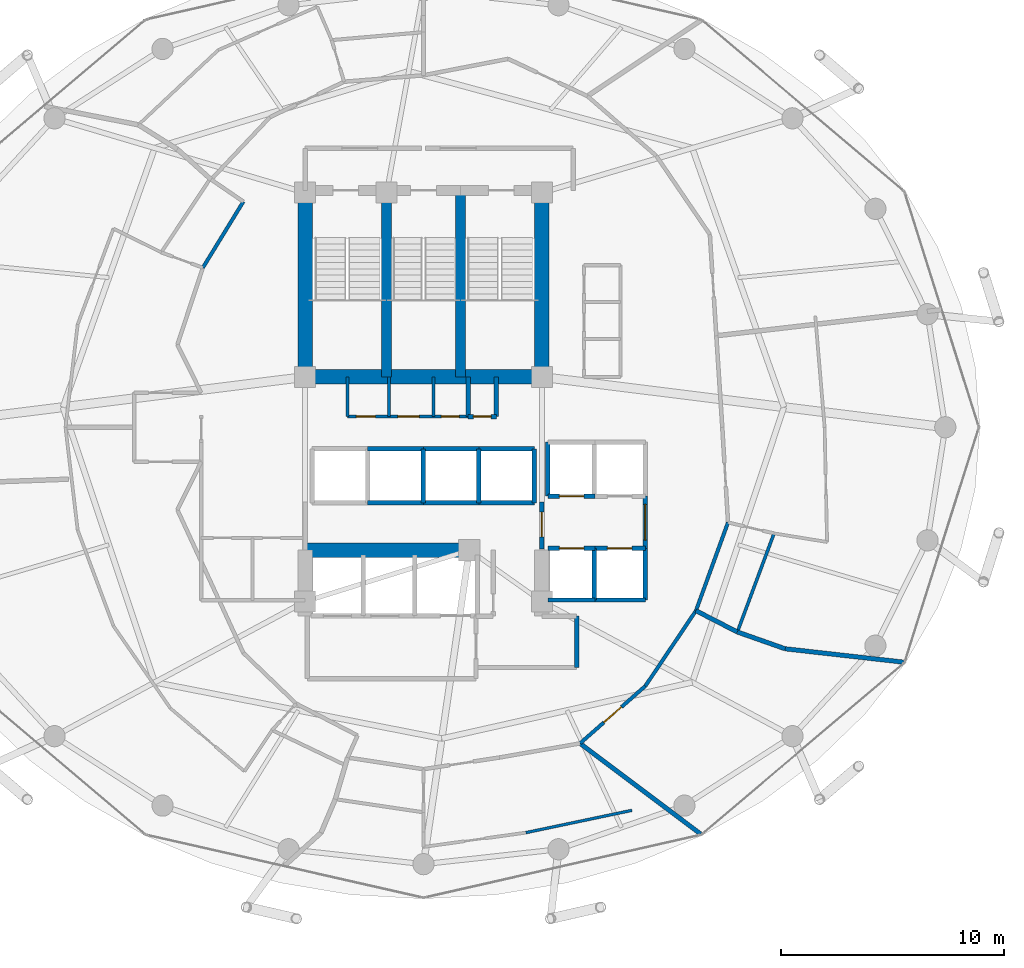
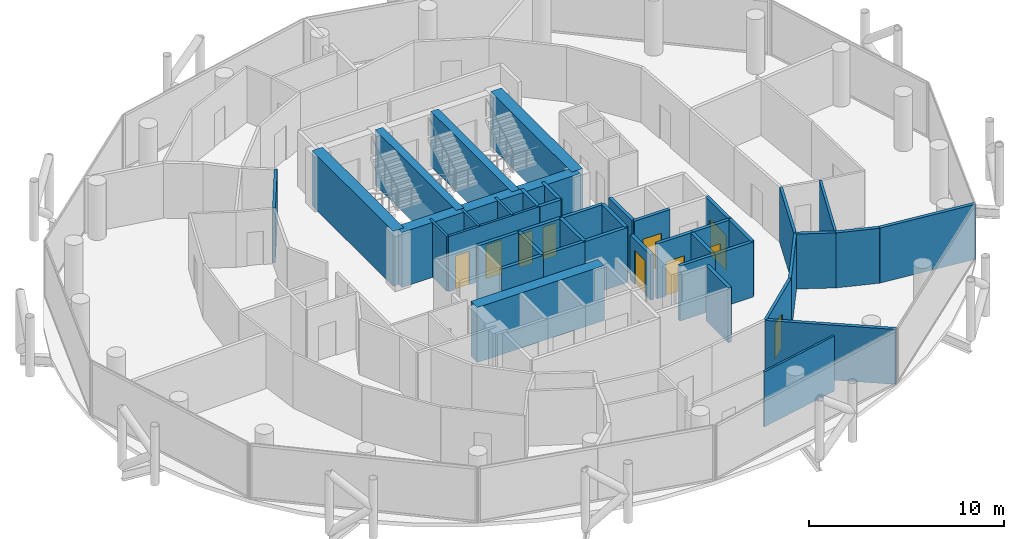
# One storey, part 23 of 26: 43 walls, 10 doors, 10 openings.
"""IFC4 building model written with IfcOpenShell, lengths in metres."""

from ifc_helpers import new_model, si_unit, direction, frame, frame_2d, origin, place, context, subcontext, project, spatial, rectangle, extrude, material, layer, layer_set, type_object, element, fill, save


model = new_model("IFC4")

# Units and contexts
model_context = context("Model", 3, precision=1e-05, world=origin(), true_north=direction((0.0, 1.0)))
body_context = subcontext(model_context, "Body", "Model", "MODEL_VIEW")
ifc_project = project(units=[si_unit("LENGTHUNIT", "METRE"), si_unit("AREAUNIT", "SQUARE_METRE"), si_unit("VOLUMEUNIT", "CUBIC_METRE"), si_unit("PLANEANGLEUNIT", "RADIAN"), si_unit("MASSUNIT", "GRAM", prefix="KILO")], contexts=[model_context])

# Site, building, storey
site_placement = place(None, origin())
site = spatial("IfcSite", under=ifc_project, at=site_placement, CompositionType="ELEMENT")
building_placement = place(site_placement, origin())
building = spatial("IfcBuilding", under=site, at=building_placement, Name="Nuhasar Tower", CompositionType="ELEMENT")
storey_placement = place(building_placement, frame((0.0, 0.0, 133.050048828125)))
storey = spatial("IfcBuildingStorey", under=building, at=storey_placement, Name="L31", CompositionType="ELEMENT", Elevation=133.050048828125)

# Walls
ifc_material_1 = material(Name="Concrete C50/60", Category="concrete")
ifc_layer_1 = layer(ifc_material_1, 0.449951171875)
ifc_layer_set_1 = layer_set([ifc_layer_1], Name="Concrete C50/60")
wall_type_1 = type_object("IfcWallType", Name="WL-CORE-450", PredefinedType="SHEAR", material=ifc_layer_set_1)
for number, where, z_axis, x_axis, name in (
    (1, (37.35009765625, 29.050048828125, 0.0), (0.0, 0.0, 1.0), (0.0, 1.0, 0.0), "L31 Stairwell Shear Wall ST01-E"),
    (2, (40.64990234375, 29.050048828125, 0.0), (0.0, 0.0, 1.0), (0.0, 1.0, 0.0), "L31 Stairwell Shear Wall ST03-E"),
):
    element("IfcWall", number, at=place(storey_placement, frame(where, z_axis=z_axis, x_axis=x_axis)), inside=storey, type_object=wall_type_1, Name=name, PredefinedType="SHEAR", context=body_context, shape_type="SweptSolid", body=[
        extrude(rectangle(XDim=8.349853515625, YDim=0.449951171875, at=frame_2d((4.1748046875, 0.0))), origin(), (0.0, 0.0, 1.0), 3.449951171875),
    ])
ifc_material_2 = material(Name="Concrete C65/80", Category="concrete")
ifc_layer_2 = layer(ifc_material_2, 0.64990234375)
ifc_layer_set_2 = layer_set([ifc_layer_2], Name="Concrete C65/80")
wall_type_2 = type_object("IfcWallType", Name="WL-CORE-650", PredefinedType="SHEAR", material=ifc_layer_set_2)
for number, where, z_axis, x_axis, name in (
    (3, (33.699951171875, 29.050048828125, 0.0), (0.0, 0.0, 1.0), (0.0, 1.0, 0.0), "L31 Core Shear Wall CW-NW CW-650"),
    (4, (44.300048828125, 29.050048828125, 0.0), (0.0, 0.0, 1.0), (0.0, 1.0, 0.0), "L31 Core Shear Wall CW-NE CW-650"),
):
    element("IfcWall", number, at=place(storey_placement, frame(where, z_axis=z_axis, x_axis=x_axis)), inside=storey, type_object=wall_type_2, Name=name, PredefinedType="SHEAR", context=body_context, shape_type="SweptSolid", body=[
        extrude(rectangle(XDim=8.349853515625, YDim=0.64990234375, at=frame_2d((4.1748046875, 0.0))), origin(), (0.0, 0.0, 1.0), 3.449951171875),
    ])
wall_1_placement = place(storey_placement, frame((33.699951171875, 29.050048828125, 0.0), z_axis=(0.0, 0.0, 1.0), x_axis=(1.0, 0.0, 0.0)))
element("IfcWall", 5, at=wall_1_placement, inside=storey, type_object=wall_type_2, Name="L31 Core Shear Wall CW-N1 CW-650", PredefinedType="SHEAR", context=body_context, shape_type="SweptSolid", body=[
    extrude(rectangle(XDim=10.60009765625, YDim=0.64990234375, at=frame_2d((5.300048828125, 0.0))), origin(), (0.0, 0.0, 1.0), 3.449951171875),
])
wall_2_placement = place(storey_placement, frame((33.699951171875, 21.300048828125, 0.0), z_axis=(0.0, 0.0, 1.0), x_axis=(1.0, 0.0, 0.0)))
element("IfcWall", 6, at=wall_2_placement, inside=storey, type_object=wall_type_2, Name="L31 Core Shear Wall CW-S1 CW-650", PredefinedType="SHEAR", context=body_context, shape_type="SweptSolid", body=[
    extrude(rectangle(XDim=7.550048828125, YDim=0.64990234375, at=frame_2d((3.77490234375, 0.0))), origin(), (0.0, 0.0, 1.0), 3.449951171875),
])

# Wall, opening, door
ifc_material_3 = material(Name="Gypsum Board", Category="gypsum")
ifc_layer_3 = layer(ifc_material_3, 0.159912109375)
ifc_layer_set_3 = layer_set([ifc_layer_3], Name="Gypsum Board")
wall_type_3 = type_object("IfcWallType", Name="WL-CORR-160", PredefinedType="PARTITIONING", material=ifc_layer_set_3)
wall_3_placement = place(storey_placement, frame((48.927978515625, 15.221923828125, 0.0), z_axis=(0.0, 0.0, 1.0), x_axis=(-0.751390152027, -0.659858196461, 0.0)))
wall_3 = element("IfcWall", 7, at=wall_3_placement, inside=storey, type_object=wall_type_3, Name="L31 Interior Partition CORR-40", PredefinedType="PARTITIONING", context=body_context, shape_type="SweptSolid", body=[
    extrude(rectangle(XDim=3.8916015625, YDim=0.159912109375, at=frame_2d((1.94580078125, 0.0))), origin(), (0.0, 0.0, 1.0), 3.449951171875),
])
opening_1_placement = place(wall_3_placement, frame((1.4208984375, 0.0, 0.0)))
opening_1 = element("IfcOpeningElement", 8, at=opening_1_placement, cuts=wall_3, Name="Opening DU-01", PredefinedType="OPENING", context=body_context, shape_type="SweptSolid", body=[
    extrude(rectangle(XDim=1.050048828125, YDim=2.14990234375, at=frame_2d((0.52490234375, 1.074951171875))), frame((0.0, 0.08984375, 0.0), z_axis=(0.0, -1.0, 0.0), x_axis=(1.0, 0.0, 0.0)), (0.0, 0.0, 1.0), 0.179931640625),
])
ifc_material_4 = material(Name="Timber Oak", Category="wood")
door_type_1 = type_object("IfcDoorType", Name="DR-SUITE-FD60-1050", OperationType="NOTDEFINED", PredefinedType="DOOR", material=ifc_material_4)
door_1_placement = place(opening_1_placement, origin())
door_1 = element("IfcDoor", 9, at=door_1_placement, inside=storey, type_object=door_type_1, Name="L31 Diplomatic Reading Office Entrance Door", OperationType="SINGLE_SWING_LEFT", OverallHeight=2.14990234375, OverallWidth=1.050048828125, PredefinedType="DOOR", context=body_context, shape_type="SweptSolid", body=[
    extrude(rectangle(XDim=1.050048828125, YDim=2.14990234375, at=frame_2d((0.52490234375, 1.074951171875))), frame((0.0, 0.02490234375, 0.0), z_axis=(0.0, -1.0, 0.0), x_axis=(1.0, 0.0, 0.0)), (0.0, 0.0, 1.0), 0.050048828125),
])
fill(opening_1, door_1)

# Walls
wall_4_placement = place(storey_placement, frame((48.927978515625, 15.221923828125, 0.0), z_axis=(0.0, 0.0, 1.0), x_axis=(0.557736193643, 0.830018275884, 0.0)))
element("IfcWall", 10, at=wall_4_placement, inside=storey, type_object=wall_type_3, Name="L31 Interior Partition CORR-42", PredefinedType="PARTITIONING", context=body_context, shape_type="SweptSolid", body=[
    extrude(rectangle(XDim=4.05908203125, YDim=0.159912109375, at=frame_2d((2.029541015625, 0.0))), origin(), (0.0, 0.0, 1.0), 3.449951171875),
])
wall_5_placement = place(storey_placement, frame((51.19189453125, 18.591064453125, 0.0), z_axis=(0.0, 0.0, 1.0), x_axis=(0.341397947832, 0.939918848208, 0.0)))
element("IfcWall", 11, at=wall_5_placement, inside=storey, type_object=wall_type_3, Name="L31 Interior Partition CORR-44", PredefinedType="PARTITIONING", context=body_context, shape_type="SweptSolid", body=[
    extrude(rectangle(XDim=4.203369140625, YDim=0.159912109375, at=frame_2d((2.1015625, 0.0))), origin(), (0.0, 0.0, 1.0), 3.449951171875),
])
wall_6_placement = place(storey_placement, frame((30.93896484375, 36.89697265625, 0.0), z_axis=(0.0, 0.0, 1.0), x_axis=(-0.522486120877, -0.852647789823, 0.0)))
element("IfcWall", 12, at=wall_6_placement, inside=storey, type_object=wall_type_3, Name="L31 Interior Partition HWEST-CORE-N-18", PredefinedType="PARTITIONING", context=body_context, shape_type="SweptSolid", body=[
    extrude(rectangle(XDim=3.468017578125, YDim=0.159912109375, at=frame_2d((1.73388671875, 0.0))), origin(), (0.0, 0.0, 1.0), 3.449951171875),
])

# Wall, opening, door
ifc_material_5 = material(Name="Concrete C45/55", Category="concrete")
ifc_layer_4 = layer(ifc_material_5, 0.199951171875)
ifc_layer_set_4 = layer_set([ifc_layer_4], Name="Concrete C45/55")
wall_type_4 = type_object("IfcWallType", Name="WL-LOBBY-200", PredefinedType="SOLIDWALL", material=ifc_layer_set_4)
wall_7_placement = place(storey_placement, frame((48.929931640625, 21.3798828125, 0.0), z_axis=(0.0, 0.0, 1.0), x_axis=(0.0, 1.0, 0.0)))
wall_7 = element("IfcWall", 13, at=wall_7_placement, inside=storey, type_object=wall_type_4, Name="L31 Interior Partition LLBM-E", PredefinedType="SOLIDWALL", context=body_context, shape_type="SweptSolid", body=[
    extrude(rectangle(XDim=2.340087890625, YDim=0.199951171875, at=frame_2d((1.169921875, 0.0))), origin(), (0.0, 0.0, 1.0), 3.449951171875),
])
opening_2_placement = place(wall_7_placement, frame((0.3701171875, 0.0, 0.0)))
opening_2 = element("IfcOpeningElement", 14, at=opening_2_placement, cuts=wall_7, Name="Opening DC-01", PredefinedType="OPENING", context=body_context, shape_type="SweptSolid", body=[
    extrude(rectangle(XDim=1.60009765625, YDim=2.199951171875, at=frame_2d((0.800048828125, 1.10009765625))), frame((0.0, 0.10986328125, 0.0), z_axis=(0.0, -1.0, 0.0), x_axis=(1.0, 0.0, 0.0)), (0.0, 0.0, 1.0), 0.219970703125),
])
ifc_material_6 = material(Name="Steel S355", Category="steel")
door_type_2 = type_object("IfcDoorType", Name="DR-CORR-FD60-1600", OperationType="DOUBLE_DOOR_SINGLE_SWING", PredefinedType="DOOR", material=ifc_material_6)
door_2_placement = place(opening_2_placement, origin())
door_2 = element("IfcDoor", 15, at=door_2_placement, inside=storey, type_object=door_type_2, Name="L31 Mid-Rise Lift Lobby East Entry", OperationType="DOUBLE_DOOR_SINGLE_SWING", OverallHeight=2.199951171875, OverallWidth=1.60009765625, PredefinedType="DOOR", context=body_context, shape_type="SweptSolid", body=[
    extrude(rectangle(XDim=1.60009765625, YDim=2.199951171875, at=frame_2d((0.800048828125, 1.10009765625))), frame((0.0, 0.02490234375, 0.0), z_axis=(0.0, -1.0, 0.0), x_axis=(1.0, 0.0, 0.0)), (0.0, 0.0, 1.0), 0.050048828125),
])
fill(opening_2, door_2)

wall_8_placement = place(storey_placement, frame((44.300048828125, 21.35009765625, 0.0), z_axis=(0.0, 0.0, 1.0), x_axis=(0.0, 1.0, 0.0)))
wall_8 = element("IfcWall", 16, at=wall_8_placement, inside=storey, type_object=wall_type_4, Name="L31 Interior Partition LLBH-E", PredefinedType="SOLIDWALL", context=body_context, shape_type="SweptSolid", body=[
    extrude(rectangle(XDim=2.099853515625, YDim=0.199951171875, at=frame_2d((1.0498046875, 0.0))), origin(), (0.0, 0.0, 1.0), 2.8349609375),
])
opening_3_placement = place(wall_8_placement, frame((0.550048828125, 0.0, 0.0)))
opening_3 = element("IfcOpeningElement", 17, at=opening_3_placement, cuts=wall_8, Name="Opening DS-02", PredefinedType="OPENING", context=body_context, shape_type="SweptSolid", body=[
    extrude(rectangle(XDim=1.10009765625, YDim=2.14990234375, at=frame_2d((0.550048828125, 1.074951171875))), frame((0.0, 0.10986328125, 0.0), z_axis=(0.0, -1.0, 0.0), x_axis=(1.0, 0.0, 0.0)), (0.0, 0.0, 1.0), 0.219970703125),
])
door_type_3 = type_object("IfcDoorType", Name="DR-FFL-FD120-1100", OperationType="NOTDEFINED", PredefinedType="DOOR", material=ifc_material_6)
door_3_placement = place(opening_3_placement, origin())
door_3 = element("IfcDoor", 18, at=door_3_placement, inside=storey, type_object=door_type_3, Name="L31 High-Rise Lobby East Door", OperationType="SINGLE_SWING_RIGHT", OverallHeight=2.14990234375, OverallWidth=1.10009765625, PredefinedType="DOOR", context=body_context, shape_type="SweptSolid", body=[
    extrude(rectangle(XDim=1.10009765625, YDim=2.14990234375, at=frame_2d((0.550048828125, 1.074951171875))), frame((0.0, 0.02490234375, 0.0), z_axis=(0.0, -1.0, 0.0), x_axis=(1.0, 0.0, 0.0)), (0.0, 0.0, 1.0), 0.050048828125),
])
fill(opening_3, door_3)

# Walls
wall_9_placement = place(storey_placement, frame((45.85009765625, 16.050048828125, 0.0), z_axis=(0.0, 0.0, 1.0), x_axis=(0.0, 1.0, 0.0)))
element("IfcWall", 19, at=wall_9_placement, inside=storey, type_object=wall_type_4, Name="L31 Interior Partition SVLV-E", PredefinedType="SOLIDWALL", context=body_context, shape_type="SweptSolid", body=[
    extrude(rectangle(XDim=2.300048828125, YDim=0.199951171875, at=frame_2d((1.14990234375, 0.0))), origin(), (0.0, 0.0, 1.0), 3.449951171875),
])
ifc_layer_5 = layer(ifc_material_3, 0.125)
ifc_layer_set_5 = layer_set([ifc_layer_5], Name="Gypsum Board")
wall_type_5 = type_object("IfcWallType", Name="WL-PART-125", PredefinedType="PARTITIONING", material=ifc_layer_set_5)
wall_10_placement = place(storey_placement, frame((43.5810546875, 8.659912109375, 0.0), z_axis=(0.0, 0.0, 1.0), x_axis=(0.978603154657, 0.205756812027, 0.0)))
element("IfcWall", 20, at=wall_10_placement, inside=storey, type_object=wall_type_5, Name="L31 Interior Partition HSAL-01-38", PredefinedType="PARTITIONING", context=body_context, shape_type="SweptSolid", body=[
    extrude(rectangle(XDim=4.8505859375, YDim=0.125, at=frame_2d((2.42529296875, 0.0))), origin(), (0.0, 0.0, 1.0), 3.449951171875),
])
ifc_layer_6 = layer(ifc_material_5, 0.199951171875)
ifc_layer_set_6 = layer_set([ifc_layer_6], Name="Concrete C45/55")
wall_type_6 = type_object("IfcWallType", Name="WL-SHAFT-200", PredefinedType="SOLIDWALL", material=ifc_layer_set_6)
for number, where, z_axis, x_axis, name in (
    (21, (41.0, 27.280029296875, 0.0), (0.0, 0.0, 1.0), (0.0, 1.0, 0.0), "L31 Interior Partition RSRN-W"),
    (22, (42.260009765625, 27.280029296875, 0.0), (0.0, 0.0, 1.0), (0.0, 1.0, 0.0), "L31 Interior Partition RSRN-E"),
):
    element("IfcWall", number, at=place(storey_placement, frame(where, z_axis=z_axis, x_axis=x_axis)), inside=storey, type_object=wall_type_6, Name=name, PredefinedType="SOLIDWALL", context=body_context, shape_type="SweptSolid", body=[
        extrude(rectangle(XDim=1.77001953125, YDim=0.199951171875, at=frame_2d((0.885009765625, 0.0))), origin(), (0.0, 0.0, 1.0), 3.449951171875),
    ])

# Wall, opening, door
wall_11_placement = place(storey_placement, frame((41.0, 27.280029296875, 0.0), z_axis=(0.0, 0.0, 1.0), x_axis=(1.0, 0.0, 0.0)))
wall_11 = element("IfcWall", 23, at=wall_11_placement, inside=storey, type_object=wall_type_6, Name="L31 Interior Partition RSRN-S", PredefinedType="SOLIDWALL", context=body_context, shape_type="SweptSolid", body=[
    extrude(rectangle(XDim=1.260009765625, YDim=0.199951171875, at=frame_2d((0.6298828125, 0.0))), origin(), (0.0, 0.0, 1.0), 3.449951171875),
])
opening_4_placement = place(wall_11_placement, frame((0.22998046875, 0.0, 0.0)))
opening_4 = element("IfcOpeningElement", 24, at=opening_4_placement, cuts=wall_11, Name="Opening DM-01", PredefinedType="OPENING", context=body_context, shape_type="SweptSolid", body=[
    extrude(rectangle(XDim=0.800048828125, YDim=2.050048828125, at=frame_2d((0.39990234375, 1.02490234375))), frame((0.0, 0.10986328125, 0.0), z_axis=(0.0, -1.0, 0.0), x_axis=(1.0, 0.0, 0.0)), (0.0, 0.0, 1.0), 0.219970703125),
])
door_type_4 = type_object("IfcDoorType", Name="DR-RISER-FD60-800", OperationType="NOTDEFINED", PredefinedType="DOOR", material=ifc_material_6)
door_4_placement = place(opening_4_placement, origin())
door_4 = element("IfcDoor", 25, at=door_4_placement, inside=storey, type_object=door_type_4, Name="L31 North Smoke Riser Door", OperationType="SINGLE_SWING_RIGHT", OverallHeight=2.050048828125, OverallWidth=0.800048828125, PredefinedType="DOOR", context=body_context, shape_type="SweptSolid", body=[
    extrude(rectangle(XDim=0.800048828125, YDim=2.050048828125, at=frame_2d((0.39990234375, 1.02490234375))), frame((0.0, 0.02490234375, 0.0), z_axis=(0.0, -1.0, 0.0), x_axis=(1.0, 0.0, 0.0)), (0.0, 0.0, 1.0), 0.050048828125),
])
fill(opening_4, door_4)

wall_12_placement = place(storey_placement, frame((44.570068359375, 23.719970703125, 0.0), z_axis=(0.0, 0.0, 1.0), x_axis=(1.0, 0.0, 0.0)))
wall_12 = element("IfcWall", 26, at=wall_12_placement, inside=storey, type_object=wall_type_6, Name="L31 Interior Partition SHF-PL-M01-S", PredefinedType="SOLIDWALL", context=body_context, shape_type="SweptSolid", body=[
    extrude(rectangle(XDim=2.10986328125, YDim=0.199951171875, at=frame_2d((1.054931640625, 0.0))), origin(), (0.0, 0.0, 1.0), 3.449951171875),
])
opening_5_placement = place(wall_12_placement, frame((0.5048828125, 0.0, 0.0)))
opening_5 = element("IfcOpeningElement", 27, at=opening_5_placement, cuts=wall_12, Name="Opening LD-M01", PredefinedType="OPENING", context=body_context, shape_type="SweptSolid", body=[
    extrude(rectangle(XDim=1.10009765625, YDim=2.14990234375, at=frame_2d((0.550048828125, 1.074951171875))), frame((0.0, 0.10986328125, 0.0), z_axis=(0.0, -1.0, 0.0), x_axis=(1.0, 0.0, 0.0)), (0.0, 0.0, 1.0), 0.219970703125),
])
ifc_material_7 = material(Name="Stainless Steel 316L", Category="steel")
door_type_5 = type_object("IfcDoorType", Name="LD-PAX-1100", OperationType="DOUBLE_DOOR_SLIDING", PredefinedType="DOOR", material=ifc_material_7)
door_5_placement = place(opening_5_placement, origin())
door_5 = element("IfcDoor", 28, at=door_5_placement, inside=storey, type_object=door_type_5, Name="L31 Lift Landing Door PL-M01", OperationType="DOUBLE_DOOR_SLIDING", OverallHeight=2.14990234375, OverallWidth=1.10009765625, PredefinedType="DOOR", context=body_context, shape_type="SweptSolid", body=[
    extrude(rectangle(XDim=1.10009765625, YDim=2.14990234375, at=frame_2d((0.550048828125, 1.074951171875))), frame((0.0, 0.02490234375, 0.0), z_axis=(0.0, -1.0, 0.0), x_axis=(1.0, 0.0, 0.0)), (0.0, 0.0, 1.0), 0.050048828125),
])
fill(opening_5, door_5)

# Walls
wall_13_placement = place(storey_placement, frame((44.570068359375, 23.719970703125, 0.0), z_axis=(0.0, 0.0, 1.0), x_axis=(0.0, 1.0, 0.0)))
element("IfcWall", 29, at=wall_13_placement, inside=storey, type_object=wall_type_6, Name="L31 Interior Partition SHF-PL-M01-W", PredefinedType="SOLIDWALL", context=body_context, shape_type="SweptSolid", body=[
    extrude(rectangle(XDim=2.409912109375, YDim=0.199951171875, at=frame_2d((1.205078125, 0.0))), origin(), (0.0, 0.0, 1.0), 3.449951171875),
])
wall_14_placement = place(storey_placement, frame((44.570068359375, 19.070068359375, 0.0), z_axis=(0.0, 0.0, 1.0), x_axis=(1.0, 0.0, 0.0)))
element("IfcWall", 30, at=wall_14_placement, inside=storey, type_object=wall_type_6, Name="L31 Interior Partition SHF-PL-M03-S", PredefinedType="SOLIDWALL", context=body_context, shape_type="SweptSolid", body=[
    extrude(rectangle(XDim=2.10986328125, YDim=0.199951171875, at=frame_2d((1.054931640625, 0.0))), origin(), (0.0, 0.0, 1.0), 3.449951171875),
])

# Wall, opening, door
wall_15_placement = place(storey_placement, frame((44.570068359375, 21.3798828125, 0.0), z_axis=(0.0, 0.0, 1.0), x_axis=(1.0, 0.0, 0.0)))
wall_15 = element("IfcWall", 31, at=wall_15_placement, inside=storey, type_object=wall_type_6, Name="L31 Interior Partition SHF-PL-M03-N", PredefinedType="SOLIDWALL", context=body_context, shape_type="SweptSolid", body=[
    extrude(rectangle(XDim=2.10986328125, YDim=0.199951171875, at=frame_2d((1.054931640625, 0.0))), origin(), (0.0, 0.0, 1.0), 3.449951171875),
])
opening_6_placement = place(wall_15_placement, frame((0.5048828125, 0.0, 0.0)))
opening_6 = element("IfcOpeningElement", 32, at=opening_6_placement, cuts=wall_15, Name="Opening LD-M03", PredefinedType="OPENING", context=body_context, shape_type="SweptSolid", body=[
    extrude(rectangle(XDim=1.10009765625, YDim=2.14990234375, at=frame_2d((0.550048828125, 1.074951171875))), frame((0.0, 0.10986328125, 0.0), z_axis=(0.0, -1.0, 0.0), x_axis=(1.0, 0.0, 0.0)), (0.0, 0.0, 1.0), 0.219970703125),
])
door_6_placement = place(opening_6_placement, origin())
door_6 = element("IfcDoor", 33, at=door_6_placement, inside=storey, type_object=door_type_5, Name="L31 Lift Landing Door PL-M03", OperationType="DOUBLE_DOOR_SLIDING", OverallHeight=2.14990234375, OverallWidth=1.10009765625, PredefinedType="DOOR", context=body_context, shape_type="SweptSolid", body=[
    extrude(rectangle(XDim=1.10009765625, YDim=2.14990234375, at=frame_2d((0.550048828125, 1.074951171875))), frame((0.0, 0.02490234375, 0.0), z_axis=(0.0, -1.0, 0.0), x_axis=(1.0, 0.0, 0.0)), (0.0, 0.0, 1.0), 0.050048828125),
])
fill(opening_6, door_6)

# Walls
for number, where, z_axis, x_axis, name in (
    (34, (46.64990234375, 19.070068359375, 0.0), (0.0, 0.0, 1.0), (0.0, 1.0, 0.0), "L31 Interior Partition SHF-PL-M03-E"),
    (35, (46.6201171875, 19.070068359375, 0.0), (0.0, 0.0, 1.0), (1.0, 0.0, 0.0), "L31 Interior Partition SHF-PL-M04-S"),
):
    element("IfcWall", number, at=place(storey_placement, frame(where, z_axis=z_axis, x_axis=x_axis)), inside=storey, type_object=wall_type_6, Name=name, PredefinedType="SOLIDWALL", context=body_context, shape_type="SweptSolid", body=[
        extrude(rectangle(XDim=2.309814453125, YDim=0.199951171875, at=frame_2d((1.15478515625, 0.0))), origin(), (0.0, 0.0, 1.0), 3.449951171875),
    ])

# Wall, opening, door
wall_16_placement = place(storey_placement, frame((46.6201171875, 21.3798828125, 0.0), z_axis=(0.0, 0.0, 1.0), x_axis=(1.0, 0.0, 0.0)))
wall_16 = element("IfcWall", 36, at=wall_16_placement, inside=storey, type_object=wall_type_6, Name="L31 Interior Partition SHF-PL-M04-N", PredefinedType="SOLIDWALL", context=body_context, shape_type="SweptSolid", body=[
    extrude(rectangle(XDim=2.309814453125, YDim=0.199951171875, at=frame_2d((1.15478515625, 0.0))), origin(), (0.0, 0.0, 1.0), 3.449951171875),
])
opening_7_placement = place(wall_16_placement, frame((0.60498046875, 0.0, 0.0)))
opening_7 = element("IfcOpeningElement", 37, at=opening_7_placement, cuts=wall_16, Name="Opening LD-M04", PredefinedType="OPENING", context=body_context, shape_type="SweptSolid", body=[
    extrude(rectangle(XDim=1.10009765625, YDim=2.14990234375, at=frame_2d((0.550048828125, 1.074951171875))), frame((0.0, 0.10986328125, 0.0), z_axis=(0.0, -1.0, 0.0), x_axis=(1.0, 0.0, 0.0)), (0.0, 0.0, 1.0), 0.219970703125),
])
door_7_placement = place(opening_7_placement, origin())
door_7 = element("IfcDoor", 38, at=door_7_placement, inside=storey, type_object=door_type_5, Name="L31 Lift Landing Door PL-M04", OperationType="DOUBLE_DOOR_SLIDING", OverallHeight=2.14990234375, OverallWidth=1.10009765625, PredefinedType="DOOR", context=body_context, shape_type="SweptSolid", body=[
    extrude(rectangle(XDim=1.10009765625, YDim=2.14990234375, at=frame_2d((0.550048828125, 1.074951171875))), frame((0.0, 0.02490234375, 0.0), z_axis=(0.0, -1.0, 0.0), x_axis=(1.0, 0.0, 0.0)), (0.0, 0.0, 1.0), 0.050048828125),
])
fill(opening_7, door_7)

# Walls
wall_17_placement = place(storey_placement, frame((48.929931640625, 19.070068359375, 0.0), z_axis=(0.0, 0.0, 1.0), x_axis=(0.0, 1.0, 0.0)))
element("IfcWall", 39, at=wall_17_placement, inside=storey, type_object=wall_type_6, Name="L31 Interior Partition SHF-PL-M04-E", PredefinedType="SOLIDWALL", context=body_context, shape_type="SweptSolid", body=[
    extrude(rectangle(XDim=2.309814453125, YDim=0.199951171875, at=frame_2d((1.15478515625, 0.0))), origin(), (0.0, 0.0, 1.0), 3.449951171875),
])
for number, where, z_axis, x_axis, name in (
    (40, (36.5, 23.419921875, 0.0), (0.0, 0.0, 1.0), (1.0, 0.0, 0.0), "L31 Interior Partition SHF-PL-H02-S"),
    (41, (36.5, 25.830078125, 0.0), (0.0, 0.0, 1.0), (1.0, 0.0, 0.0), "L31 Interior Partition SHF-PL-H02-N"),
):
    element("IfcWall", number, at=place(storey_placement, frame(where, z_axis=z_axis, x_axis=x_axis)), inside=storey, type_object=wall_type_6, Name=name, PredefinedType="SOLIDWALL", context=body_context, shape_type="SweptSolid", body=[
        extrude(rectangle(XDim=2.5, YDim=0.199951171875, at=frame_2d((1.25, 0.0))), origin(), (0.0, 0.0, 1.0), 3.449951171875),
    ])
wall_18_placement = place(storey_placement, frame((38.989990234375, 23.419921875, 0.0), z_axis=(0.0, 0.0, 1.0), x_axis=(0.0, 1.0, 0.0)))
element("IfcWall", 42, at=wall_18_placement, inside=storey, type_object=wall_type_6, Name="L31 Interior Partition SHF-PL-H02-E", PredefinedType="SOLIDWALL", context=body_context, shape_type="SweptSolid", body=[
    extrude(rectangle(XDim=2.41015625, YDim=0.199951171875, at=frame_2d((1.205078125, 0.0))), origin(), (0.0, 0.0, 1.0), 3.449951171875),
])
for number, where, z_axis, x_axis, name in (
    (43, (38.97998046875, 23.419921875, 0.0), (0.0, 0.0, 1.0), (1.0, 0.0, 0.0), "L31 Interior Partition SHF-PL-H03-S"),
    (44, (38.97998046875, 25.830078125, 0.0), (0.0, 0.0, 1.0), (1.0, 0.0, 0.0), "L31 Interior Partition SHF-PL-H03-N"),
):
    element("IfcWall", number, at=place(storey_placement, frame(where, z_axis=z_axis, x_axis=x_axis)), inside=storey, type_object=wall_type_6, Name=name, PredefinedType="SOLIDWALL", context=body_context, shape_type="SweptSolid", body=[
        extrude(rectangle(XDim=2.5, YDim=0.199951171875, at=frame_2d((1.25, 0.0))), origin(), (0.0, 0.0, 1.0), 3.449951171875),
    ])
wall_19_placement = place(storey_placement, frame((41.469970703125, 23.419921875, 0.0), z_axis=(0.0, 0.0, 1.0), x_axis=(0.0, 1.0, 0.0)))
element("IfcWall", 45, at=wall_19_placement, inside=storey, type_object=wall_type_6, Name="L31 Interior Partition SHF-PL-H03-E", PredefinedType="SOLIDWALL", context=body_context, shape_type="SweptSolid", body=[
    extrude(rectangle(XDim=2.41015625, YDim=0.199951171875, at=frame_2d((1.205078125, 0.0))), origin(), (0.0, 0.0, 1.0), 3.449951171875),
])
for number, where, z_axis, x_axis, name in (
    (46, (41.4599609375, 23.419921875, 0.0), (0.0, 0.0, 1.0), (1.0, 0.0, 0.0), "L31 Interior Partition SHF-PL-H04-S"),
    (47, (41.4599609375, 25.830078125, 0.0), (0.0, 0.0, 1.0), (1.0, 0.0, 0.0), "L31 Interior Partition SHF-PL-H04-N"),
):
    element("IfcWall", number, at=place(storey_placement, frame(where, z_axis=z_axis, x_axis=x_axis)), inside=storey, type_object=wall_type_6, Name=name, PredefinedType="SOLIDWALL", context=body_context, shape_type="SweptSolid", body=[
        extrude(rectangle(XDim=2.5, YDim=0.199951171875, at=frame_2d((1.25, 0.0))), origin(), (0.0, 0.0, 1.0), 3.449951171875),
    ])
wall_20_placement = place(storey_placement, frame((43.9599609375, 23.419921875, 0.0), z_axis=(0.0, 0.0, 1.0), x_axis=(0.0, 1.0, 0.0)))
element("IfcWall", 48, at=wall_20_placement, inside=storey, type_object=wall_type_6, Name="L31 Interior Partition SHF-PL-H04-E", PredefinedType="SOLIDWALL", context=body_context, shape_type="SweptSolid", body=[
    extrude(rectangle(XDim=2.41015625, YDim=0.199951171875, at=frame_2d((1.205078125, 0.0))), origin(), (0.0, 0.0, 1.0), 3.449951171875),
])
ifc_material_8 = material(Name="Concrete C40/50 precast", Category="concrete")
ifc_layer_7 = layer(ifc_material_8, 0.199951171875)
ifc_layer_set_7 = layer_set([ifc_layer_7], Name="Concrete C40/50 precast")
wall_type_7 = type_object("IfcWallType", Name="WL-UNIT-200", PredefinedType="PARTITIONING", material=ifc_layer_set_7)
wall_21_placement = place(storey_placement, frame((46.00390625, 12.654052734375, 0.0), z_axis=(0.0, 0.0, 1.0), x_axis=(0.79963605391, -0.600484955089, 0.0)))
element("IfcWall", 49, at=wall_21_placement, inside=storey, type_object=wall_type_7, Name="L31 Interior Partition HRAD-40", PredefinedType="PARTITIONING", context=body_context, shape_type="SweptSolid", body=[
    extrude(rectangle(XDim=6.7646484375, YDim=0.199951171875, at=frame_2d((3.38232421875, 0.0))), origin(), (0.0, 0.0, 1.0), 3.449951171875),
])
wall_22_placement = place(storey_placement, frame((51.19189453125, 18.591064453125, 0.0), z_axis=(0.0, 0.0, 1.0), x_axis=(0.88945115707, -0.457030238811, 0.0)))
element("IfcWall", 50, at=wall_22_placement, inside=storey, type_object=wall_type_7, Name="L31 Interior Partition HRAD-44-S1", PredefinedType="PARTITIONING", context=body_context, shape_type="SweptSolid", body=[
    extrude(rectangle(XDim=2.083251953125, YDim=0.199951171875, at=frame_2d((1.04150390625, 0.0))), origin(), (0.0, 0.0, 1.0), 3.449951171875),
])
wall_23_placement = place(storey_placement, frame((53.044921875, 17.638916015625, 0.0), z_axis=(0.0, 0.0, 1.0), x_axis=(0.94343918353, -0.33154563333, 0.0)))
element("IfcWall", 51, at=wall_23_placement, inside=storey, type_object=wall_type_7, Name="L31 Interior Partition HRAD-44-S2", PredefinedType="PARTITIONING", context=body_context, shape_type="SweptSolid", body=[
    extrude(rectangle(XDim=2.26513671875, YDim=0.199951171875, at=frame_2d((1.132568359375, 0.0))), origin(), (0.0, 0.0, 1.0), 3.449951171875),
])
wall_24_placement = place(storey_placement, frame((55.181884765625, 16.887939453125, 0.0), z_axis=(0.0, 0.0, 1.0), x_axis=(0.993676136784, -0.11228417157, 0.0)))
element("IfcWall", 52, at=wall_24_placement, inside=storey, type_object=wall_type_7, Name="L31 Interior Partition HRAD-44-S3", PredefinedType="PARTITIONING", context=body_context, shape_type="SweptSolid", body=[
    extrude(rectangle(XDim=5.35107421875, YDim=0.199951171875, at=frame_2d((2.675537109375, 0.0))), origin(), (0.0, 0.0, 1.0), 3.449951171875),
])
ifc_layer_8 = layer(ifc_material_8, 0.139892578125)
ifc_layer_set_8 = layer_set([ifc_layer_8], Name="Concrete C40/50 precast")
wall_type_8 = type_object("IfcWallType", Name="WL-WET-140", PredefinedType="PARTITIONING", material=ifc_layer_set_8)
wall_25_placement = place(storey_placement, frame((35.60009765625, 27.280029296875, 0.0), z_axis=(0.0, 0.0, 1.0), x_axis=(0.0, 1.0, 0.0)))
element("IfcWall", 53, at=wall_25_placement, inside=storey, type_object=wall_type_8, Name="L31 Interior Partition CSVC-W", PredefinedType="PARTITIONING", context=body_context, shape_type="SweptSolid", body=[
    extrude(rectangle(XDim=1.77001953125, YDim=0.139892578125, at=frame_2d((0.885009765625, 0.0))), origin(), (0.0, 0.0, 1.0), 3.449951171875),
])

# Wall, openings, doors
wall_26_placement = place(storey_placement, frame((35.60009765625, 27.280029296875, 0.0), z_axis=(0.0, 0.0, 1.0), x_axis=(1.0, 0.0, 0.0)))
wall_26 = element("IfcWall", 54, at=wall_26_placement, inside=storey, type_object=wall_type_8, Name="L31 Interior Partition CSVC-S", PredefinedType="PARTITIONING", context=body_context, shape_type="SweptSolid", body=[
    extrude(rectangle(XDim=5.39990234375, YDim=0.139892578125, at=frame_2d((2.699951171875, 0.0))), origin(), (0.0, 0.0, 1.0), 3.449951171875),
])
opening_8_placement = place(wall_26_placement, frame((0.39990234375, 0.0, 0.0)))
opening_8 = element("IfcOpeningElement", 55, at=opening_8_placement, cuts=wall_26, Name="Opening DB-01", PredefinedType="OPENING", context=body_context, shape_type="SweptSolid", body=[
    extrude(rectangle(XDim=0.85009765625, YDim=2.10009765625, at=frame_2d((0.425048828125, 1.050048828125))), frame((0.0, 0.080078125, 0.0), z_axis=(0.0, -1.0, 0.0), x_axis=(1.0, 0.0, 0.0)), (0.0, 0.0, 1.0), 0.159912109375),
])
opening_9_placement = place(wall_26_placement, frame((2.25, 0.0, 0.0)))
opening_9 = element("IfcOpeningElement", 56, at=opening_9_placement, cuts=wall_26, Name="Opening DA-01", PredefinedType="OPENING", context=body_context, shape_type="SweptSolid", body=[
    extrude(rectangle(XDim=0.949951171875, YDim=2.10009765625, at=frame_2d((0.47509765625, 1.050048828125))), frame((0.0, 0.080078125, 0.0), z_axis=(0.0, -1.0, 0.0), x_axis=(1.0, 0.0, 0.0)), (0.0, 0.0, 1.0), 0.159912109375),
])
opening_10_placement = place(wall_26_placement, frame((4.199951171875, 0.0, 0.0)))
opening_10 = element("IfcOpeningElement", 57, at=opening_10_placement, cuts=wall_26, Name="Opening DM-01", PredefinedType="OPENING", context=body_context, shape_type="SweptSolid", body=[
    extrude(rectangle(XDim=0.800048828125, YDim=2.050048828125, at=frame_2d((0.39990234375, 1.02490234375))), frame((0.0, 0.080078125, 0.0), z_axis=(0.0, -1.0, 0.0), x_axis=(1.0, 0.0, 0.0)), (0.0, 0.0, 1.0), 0.159912109375),
])
door_type_6 = type_object("IfcDoorType", Name="DR-ACCWC-950", OperationType="NOTDEFINED", PredefinedType="DOOR", material=ifc_material_4)
door_8_placement = place(opening_9_placement, origin())
door_8 = element("IfcDoor", 58, at=door_8_placement, inside=storey, type_object=door_type_6, Name="L31 Core Accessible WC Door", OperationType="SINGLE_SWING_RIGHT", OverallHeight=2.10009765625, OverallWidth=0.949951171875, PredefinedType="DOOR", context=body_context, shape_type="SweptSolid", body=[
    extrude(rectangle(XDim=0.949951171875, YDim=2.10009765625, at=frame_2d((0.47509765625, 1.050048828125))), frame((0.0, 0.02490234375, 0.0), z_axis=(0.0, -1.0, 0.0), x_axis=(1.0, 0.0, 0.0)), (0.0, 0.0, 1.0), 0.050048828125),
])
fill(opening_9, door_8)
door_type_7 = type_object("IfcDoorType", Name="DR-BATH-850", OperationType="NOTDEFINED", PredefinedType="DOOR", material=ifc_material_4)
door_9_placement = place(opening_8_placement, origin())
door_9 = element("IfcDoor", 59, at=door_9_placement, inside=storey, type_object=door_type_7, Name="L31 Core Male WC Door", OperationType="SINGLE_SWING_LEFT", OverallHeight=2.10009765625, OverallWidth=0.85009765625, PredefinedType="DOOR", context=body_context, shape_type="SweptSolid", body=[
    extrude(rectangle(XDim=0.85009765625, YDim=2.10009765625, at=frame_2d((0.425048828125, 1.050048828125))), frame((0.0, 0.02490234375, 0.0), z_axis=(0.0, -1.0, 0.0), x_axis=(1.0, 0.0, 0.0)), (0.0, 0.0, 1.0), 0.050048828125),
])
fill(opening_8, door_9)
door_10_placement = place(opening_10_placement, origin())
door_10 = element("IfcDoor", 60, at=door_10_placement, inside=storey, type_object=door_type_4, Name="L31 Core Janitor Door", OperationType="SINGLE_SWING_RIGHT", OverallHeight=2.050048828125, OverallWidth=0.800048828125, PredefinedType="DOOR", context=body_context, shape_type="SweptSolid", body=[
    extrude(rectangle(XDim=0.800048828125, YDim=2.050048828125, at=frame_2d((0.39990234375, 1.02490234375))), frame((0.0, 0.02490234375, 0.0), z_axis=(0.0, -1.0, 0.0), x_axis=(1.0, 0.0, 0.0)), (0.0, 0.0, 1.0), 0.050048828125),
])
fill(opening_10, door_10)

# Walls
for number, where, z_axis, x_axis, name in (
    (61, (37.449951171875, 27.280029296875, 0.0), (0.0, 0.0, 1.0), (0.0, 1.0, 0.0), "L31 Interior Partition K1-P1"),
    (62, (39.449951171875, 27.280029296875, 0.0), (0.0, 0.0, 1.0), (0.0, 1.0, 0.0), "L31 Interior Partition K1-P2"),
):
    element("IfcWall", number, at=place(storey_placement, frame(where, z_axis=z_axis, x_axis=x_axis)), inside=storey, type_object=wall_type_8, Name=name, PredefinedType="PARTITIONING", context=body_context, shape_type="SweptSolid", body=[
        extrude(rectangle(XDim=1.77001953125, YDim=0.139892578125, at=frame_2d((0.885009765625, 0.0))), origin(), (0.0, 0.0, 1.0), 3.449951171875),
    ])
wall_27_placement = place(storey_placement, frame((53.044921875, 17.638916015625, 0.0), z_axis=(0.0, 0.0, 1.0), x_axis=(0.348803628314, 0.937195832724, 0.0)))
element("IfcWall", 63, at=wall_27_placement, inside=storey, type_object=wall_type_8, Name="L31 Interior Partition HBF-03-44", PredefinedType="PARTITIONING", context=body_context, shape_type="SweptSolid", body=[
    extrude(rectangle(XDim=4.707763671875, YDim=0.139892578125, at=frame_2d((2.35400390625, 0.0))), origin(), (0.0, 0.0, 1.0), 3.449951171875),
])

save(model, "model.ifc")
